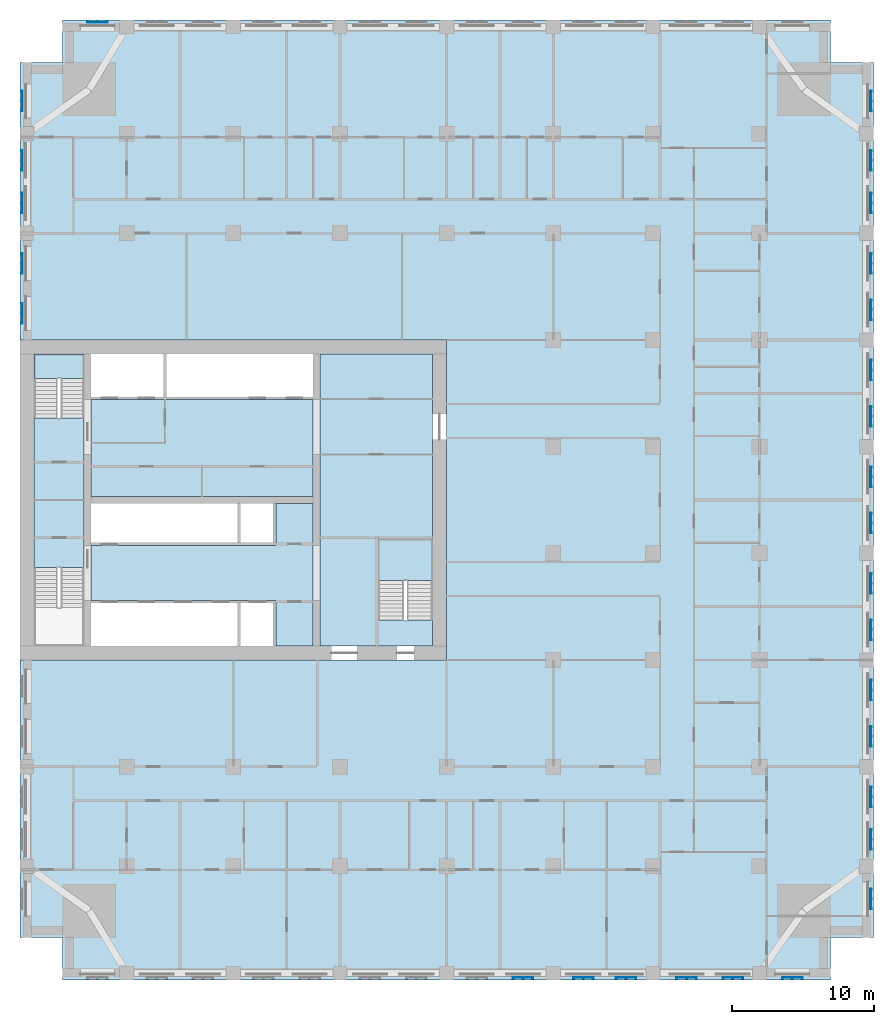
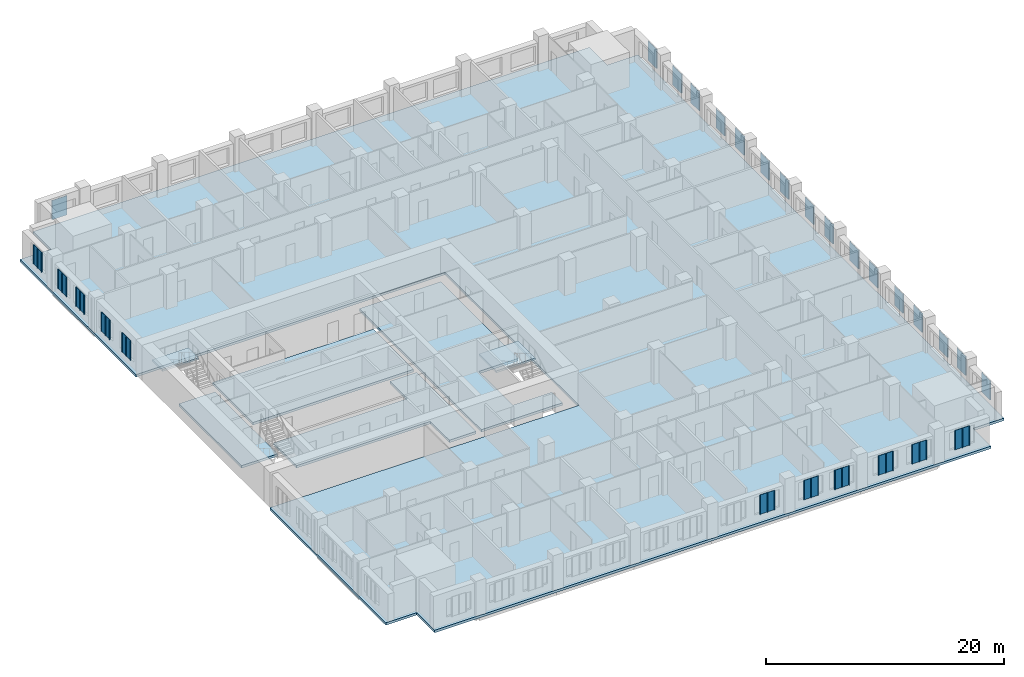
# One storey, part 2 of 14: 28 plates, 7 slabs, 2 elements without a shape of their own.
"""IFC4 building model written with IfcOpenShell, lengths in metres."""

from ifc_helpers import new_model, si_unit, direction, frame, origin, place, context, subcontext, project, spatial, polyline, outline, extrude, material, layer, layer_set, type_object, element, aggregate, save


model = new_model("IFC4")

# Units and contexts
model_context = context("Model", 3, precision=1e-05, world=origin(), true_north=direction((0.0, 1.0)))
body_context = subcontext(model_context, "Body", "Model", "MODEL_VIEW")
ifc_project = project(units=[si_unit("LENGTHUNIT", "METRE"), si_unit("AREAUNIT", "SQUARE_METRE"), si_unit("VOLUMEUNIT", "CUBIC_METRE"), si_unit("PLANEANGLEUNIT", "RADIAN"), si_unit("MASSUNIT", "GRAM", prefix="KILO")], contexts=[model_context])

# Site, building, storey
site_placement = place(None, origin())
site = spatial("IfcSite", under=ifc_project, at=site_placement, CompositionType="ELEMENT")
building_placement = place(site_placement, origin())
building = spatial("IfcBuilding", under=site, at=building_placement, Name="Tamorin Gate", CompositionType="ELEMENT")
storey_placement = place(building_placement, frame((0.0, 0.0, 93.5)))
storey = spatial("IfcBuildingStorey", under=building, at=storey_placement, Name="L22", CompositionType="ELEMENT", Elevation=93.5)

# Slabs
ifc_material_1 = material(Name="Concrete C40/50", Category="concrete")
ifc_layer_1 = layer(ifc_material_1, 0.25)
ifc_layer_set_1 = layer_set([ifc_layer_1], Name="Core floor slab 250 C40/50")
slab_type_1 = type_object("IfcSlabType", Name="Core floor slab 250 C40/50", PredefinedType="FLOOR", material=ifc_layer_set_1)
slab_1_placement = place(storey_placement, frame((0.0, 0.0, -0.25)))
element("IfcSlab", 1, at=slab_1_placement, inside=storey, type_object=slab_type_1, Name="Core floor L22", PredefinedType="FLOOR", context=body_context, shape_type="SweptSolid", body=[
    extrude(outline(polyline([(59.0, 62.800048828125), (59.0, 61.0), (51.10009765625, 61.0), (51.10009765625, 81.5), (59.0, 81.5), (59.0, 68.5), (55.199951171875, 68.5), (55.199951171875, 62.800048828125), (59.0, 62.800048828125)])), origin(), (0.0, 0.0, 1.0), 0.25),
])
slab_2_placement = place(storey_placement, frame((0.0, 0.0, -0.25)))
element("IfcSlab", 2, at=slab_2_placement, inside=storey, type_object=slab_type_1, Name="Core floor L22", PredefinedType="FLOOR", context=body_context, shape_type="SweptSolid", body=[
    extrude(outline(polyline([(50.60009765625, 61.0), (48.0, 61.0), (48.0, 64.199951171875), (35.0, 64.199951171875), (35.0, 68.050048828125), (48.0, 68.050048828125), (48.0, 71.0), (50.60009765625, 71.0), (50.60009765625, 61.0)])), origin(), (0.0, 0.0, 1.0), 0.25),
])
slab_3_placement = place(storey_placement, frame((0.0, 0.0, -0.25)))
element("IfcSlab", 3, at=slab_3_placement, inside=storey, type_object=slab_type_1, Name="Core floor L22", PredefinedType="FLOOR", context=body_context, shape_type="SweptSolid", body=[
    extrude(outline(polyline([(50.60009765625, 71.5), (35.0, 71.5), (35.0, 78.300048828125), (50.60009765625, 78.300048828125), (50.60009765625, 71.5)])), origin(), (0.0, 0.0, 1.0), 0.25),
])
slab_4_placement = place(storey_placement, frame((0.0, 0.0, -0.25)))
element("IfcSlab", 4, at=slab_4_placement, inside=storey, type_object=slab_type_1, Name="Core floor L22", PredefinedType="FLOOR", context=body_context, shape_type="SweptSolid", body=[
    extrude(outline(polyline([(31.0, 66.5), (31.0, 77.0), (34.5, 77.0), (34.5, 66.5), (31.0, 66.5)])), origin(), (0.0, 0.0, 1.0), 0.25),
])

# Stair, slab
stair_type = type_object("IfcStairType", Name="Exit stair", PredefinedType="HALF_TURN_STAIR", material=ifc_material_1)
stair_1_placement = place(storey_placement, origin())
stair_1 = element("IfcStair", 5, at=stair_1_placement, inside=storey, type_object=stair_type, Name="L22 stair ST2", PredefinedType="HALF_TURN_STAIR")
ifc_layer_2 = layer(ifc_material_1, 0.199951171875)
ifc_layer_set_2 = layer_set([ifc_layer_2], Name="Exit stair landing 200")
slab_type_2 = type_object("IfcSlabType", Name="Exit stair landing 200", PredefinedType="LANDING", material=ifc_layer_set_2)
slab_5_placement = place(storey_placement, frame((0.0, 0.0, 1.60009765625)))
slab_5 = element("IfcSlab", 6, at=slab_5_placement, type_object=slab_type_2, Name="ST2 landing 1", PredefinedType="LANDING", context=body_context, shape_type="SweptSolid", body=[
    extrude(outline(polyline([(34.5, 79.800048828125), (34.5, 81.5), (31.0, 81.5), (31.0, 79.800048828125), (34.5, 79.800048828125)])), origin(), (0.0, 0.0, 1.0), 0.199951171875),
])
aggregate(stair_1, [slab_5])

stair_2_placement = place(storey_placement, origin())
stair_2 = element("IfcStair", 7, at=stair_2_placement, inside=storey, type_object=stair_type, Name="L22 stair ST3", PredefinedType="HALF_TURN_STAIR")
slab_6_placement = place(storey_placement, frame((0.0, 0.0, 1.60009765625)))
slab_6 = element("IfcSlab", 8, at=slab_6_placement, type_object=slab_type_2, Name="ST3 landing 1", PredefinedType="LANDING", context=body_context, shape_type="SweptSolid", body=[
    extrude(outline(polyline([(59.0, 65.60009765625), (59.0, 68.5), (55.199951171875, 68.5), (55.199951171875, 65.60009765625), (59.0, 65.60009765625)])), origin(), (0.0, 0.0, 1.0), 0.199951171875),
])
aggregate(stair_2, [slab_6])

# Slab
ifc_layer_3 = layer(ifc_material_1, 0.25)
ifc_layer_set_3 = layer_set([ifc_layer_3], Name="Floor slab 250 C40/50")
slab_type_3 = type_object("IfcSlabType", Name="Floor slab 250 C40/50", PredefinedType="FLOOR", material=ifc_layer_set_3)
slab_7_placement = place(storey_placement, frame((0.0, 0.0, -0.25)))
element("IfcSlab", 9, at=slab_7_placement, inside=storey, type_object=slab_type_3, Name="Floor L22", PredefinedType="FLOOR", context=body_context, shape_type="SweptSolid", body=[
    extrude(outline(polyline([(30.0, 102.0), (33.0, 102.0), (33.0, 105.0), (87.0, 105.0), (87.0, 102.0), (90.0, 102.0), (90.0, 40.5), (87.0, 40.5), (87.0, 37.5), (33.0, 37.5), (33.0, 40.5), (30.0, 40.5), (30.0, 60.0), (60.0, 60.0), (60.0, 82.5), (30.0, 82.5), (30.0, 102.0)])), origin(), (0.0, 0.0, 1.0), 0.25),
])

# Plates
ifc_material_2 = material(Name="Perforated pale aluminium sheet", Category="aluminium")
ifc_layer_4 = layer(ifc_material_2, 0.0400390625)
ifc_layer_set_4 = layer_set([ifc_layer_4], Name="Pale metal solar screen 1440")
plate_type = type_object("IfcPlateType", Name="Pale metal solar screen 1440", PredefinedType="SHEET", material=ifc_layer_set_4)
plate_1_placement = place(storey_placement, frame((0.0, 0.0, 0.7099609375)))
element("IfcPlate", 10, at=plate_1_placement, inside=storey, type_object=plate_type, Name="Perforated solar screen", PredefinedType="SHEET", context=body_context, shape_type="SweptSolid", body=[
    extrude(outline(polyline([(64.655029296875, 37.659912109375), (64.655029296875, 37.699951171875), (64.715087890625, 37.699951171875), (65.344970703125, 37.699951171875), (65.405029296875, 37.699951171875), (66.034912109375, 37.699951171875), (66.094970703125, 37.699951171875), (66.094970703125, 37.659912109375), (66.094970703125, 37.60009765625), (66.034912109375, 37.60009765625), (66.034912109375, 37.659912109375), (65.405029296875, 37.659912109375), (65.405029296875, 37.60009765625), (65.344970703125, 37.60009765625), (65.344970703125, 37.659912109375), (64.715087890625, 37.659912109375), (64.715087890625, 37.60009765625), (64.655029296875, 37.60009765625), (64.655029296875, 37.659912109375)])), origin(), (0.0, 0.0, 1.0), 1.97998046875),
])
plate_2_placement = place(storey_placement, frame((0.0, 0.0, 0.7099609375)))
element("IfcPlate", 11, at=plate_2_placement, inside=storey, type_object=plate_type, Name="Perforated solar screen", PredefinedType="SHEET", context=body_context, shape_type="SweptSolid", body=[
    extrude(outline(polyline([(68.905029296875, 37.659912109375), (68.905029296875, 37.699951171875), (68.965087890625, 37.699951171875), (69.594970703125, 37.699951171875), (69.655029296875, 37.699951171875), (70.284912109375, 37.699951171875), (70.344970703125, 37.699951171875), (70.344970703125, 37.659912109375), (70.344970703125, 37.60009765625), (70.284912109375, 37.60009765625), (70.284912109375, 37.659912109375), (69.655029296875, 37.659912109375), (69.655029296875, 37.60009765625), (69.594970703125, 37.60009765625), (69.594970703125, 37.659912109375), (68.965087890625, 37.659912109375), (68.965087890625, 37.60009765625), (68.905029296875, 37.60009765625), (68.905029296875, 37.659912109375)])), origin(), (0.0, 0.0, 1.0), 1.97998046875),
])
plate_3_placement = place(storey_placement, frame((0.0, 0.0, 0.7099609375)))
element("IfcPlate", 12, at=plate_3_placement, inside=storey, type_object=plate_type, Name="Perforated solar screen", PredefinedType="SHEET", context=body_context, shape_type="SweptSolid", body=[
    extrude(outline(polyline([(71.905029296875, 37.659912109375), (71.905029296875, 37.699951171875), (71.965087890625, 37.699951171875), (72.594970703125, 37.699951171875), (72.655029296875, 37.699951171875), (73.284912109375, 37.699951171875), (73.344970703125, 37.699951171875), (73.344970703125, 37.659912109375), (73.344970703125, 37.60009765625), (73.284912109375, 37.60009765625), (73.284912109375, 37.659912109375), (72.655029296875, 37.659912109375), (72.655029296875, 37.60009765625), (72.594970703125, 37.60009765625), (72.594970703125, 37.659912109375), (71.965087890625, 37.659912109375), (71.965087890625, 37.60009765625), (71.905029296875, 37.60009765625), (71.905029296875, 37.659912109375)])), origin(), (0.0, 0.0, 1.0), 1.97998046875),
])
plate_4_placement = place(storey_placement, frame((0.0, 0.0, 0.7099609375)))
element("IfcPlate", 13, at=plate_4_placement, inside=storey, type_object=plate_type, Name="Perforated solar screen", PredefinedType="SHEET", context=body_context, shape_type="SweptSolid", body=[
    extrude(outline(polyline([(76.155029296875, 37.659912109375), (76.155029296875, 37.699951171875), (76.215087890625, 37.699951171875), (76.844970703125, 37.699951171875), (76.905029296875, 37.699951171875), (77.534912109375, 37.699951171875), (77.594970703125, 37.699951171875), (77.594970703125, 37.659912109375), (77.594970703125, 37.60009765625), (77.534912109375, 37.60009765625), (77.534912109375, 37.659912109375), (76.905029296875, 37.659912109375), (76.905029296875, 37.60009765625), (76.844970703125, 37.60009765625), (76.844970703125, 37.659912109375), (76.215087890625, 37.659912109375), (76.215087890625, 37.60009765625), (76.155029296875, 37.60009765625), (76.155029296875, 37.659912109375)])), origin(), (0.0, 0.0, 1.0), 1.97998046875),
])
plate_5_placement = place(storey_placement, frame((0.0, 0.0, 0.7099609375)))
element("IfcPlate", 14, at=plate_5_placement, inside=storey, type_object=plate_type, Name="Perforated solar screen", PredefinedType="SHEET", context=body_context, shape_type="SweptSolid", body=[
    extrude(outline(polyline([(79.405029296875, 37.659912109375), (79.405029296875, 37.699951171875), (79.465087890625, 37.699951171875), (80.094970703125, 37.699951171875), (80.155029296875, 37.699951171875), (80.784912109375, 37.699951171875), (80.844970703125, 37.699951171875), (80.844970703125, 37.659912109375), (80.844970703125, 37.60009765625), (80.784912109375, 37.60009765625), (80.784912109375, 37.659912109375), (80.155029296875, 37.659912109375), (80.155029296875, 37.60009765625), (80.094970703125, 37.60009765625), (80.094970703125, 37.659912109375), (79.465087890625, 37.659912109375), (79.465087890625, 37.60009765625), (79.405029296875, 37.60009765625), (79.405029296875, 37.659912109375)])), origin(), (0.0, 0.0, 1.0), 1.97998046875),
])
plate_6_placement = place(storey_placement, frame((0.0, 0.0, 0.7099609375)))
element("IfcPlate", 15, at=plate_6_placement, inside=storey, type_object=plate_type, Name="Perforated solar screen", PredefinedType="SHEET", context=body_context, shape_type="SweptSolid", body=[
    extrude(outline(polyline([(83.580078125, 37.659912109375), (83.580078125, 37.699951171875), (83.639892578125, 37.699951171875), (84.27001953125, 37.699951171875), (84.330078125, 37.699951171875), (84.9599609375, 37.699951171875), (85.02001953125, 37.699951171875), (85.02001953125, 37.659912109375), (85.02001953125, 37.60009765625), (84.9599609375, 37.60009765625), (84.9599609375, 37.659912109375), (84.330078125, 37.659912109375), (84.330078125, 37.60009765625), (84.27001953125, 37.60009765625), (84.27001953125, 37.659912109375), (83.639892578125, 37.659912109375), (83.639892578125, 37.60009765625), (83.580078125, 37.60009765625), (83.580078125, 37.659912109375)])), origin(), (0.0, 0.0, 1.0), 1.97998046875),
])
plate_7_placement = place(storey_placement, frame((0.0, 0.0, 0.7099609375)))
element("IfcPlate", 16, at=plate_7_placement, inside=storey, type_object=plate_type, Name="Perforated solar screen", PredefinedType="SHEET", context=body_context, shape_type="SweptSolid", body=[
    extrude(outline(polyline([(89.840087890625, 42.47998046875), (89.800048828125, 42.47998046875), (89.800048828125, 42.5400390625), (89.800048828125, 43.169921875), (89.800048828125, 43.22998046875), (89.800048828125, 43.860107421875), (89.800048828125, 43.919921875), (89.840087890625, 43.919921875), (89.89990234375, 43.919921875), (89.89990234375, 43.860107421875), (89.840087890625, 43.860107421875), (89.840087890625, 43.22998046875), (89.89990234375, 43.22998046875), (89.89990234375, 43.169921875), (89.840087890625, 43.169921875), (89.840087890625, 42.5400390625), (89.89990234375, 42.5400390625), (89.89990234375, 42.47998046875), (89.840087890625, 42.47998046875)])), origin(), (0.0, 0.0, 1.0), 1.97998046875),
])
plate_8_placement = place(storey_placement, frame((0.0, 0.0, 0.7099609375)))
element("IfcPlate", 17, at=plate_8_placement, inside=storey, type_object=plate_type, Name="Perforated solar screen", PredefinedType="SHEET", context=body_context, shape_type="SweptSolid", body=[
    extrude(outline(polyline([(89.840087890625, 46.655029296875), (89.800048828125, 46.655029296875), (89.800048828125, 46.715087890625), (89.800048828125, 47.344970703125), (89.800048828125, 47.405029296875), (89.800048828125, 48.034912109375), (89.800048828125, 48.094970703125), (89.800048828125, 48.094970703125), (89.840087890625, 48.094970703125), (89.840087890625, 48.094970703125), (89.89990234375, 48.094970703125), (89.89990234375, 48.034912109375), (89.840087890625, 48.034912109375), (89.840087890625, 47.405029296875), (89.89990234375, 47.405029296875), (89.89990234375, 47.344970703125), (89.840087890625, 47.344970703125), (89.840087890625, 46.715087890625), (89.89990234375, 46.715087890625), (89.89990234375, 46.655029296875), (89.840087890625, 46.655029296875)])), origin(), (0.0, 0.0, 1.0), 1.97998046875),
])
plate_9_placement = place(storey_placement, frame((0.0, 0.0, 0.7099609375)))
element("IfcPlate", 18, at=plate_9_placement, inside=storey, type_object=plate_type, Name="Perforated solar screen", PredefinedType="SHEET", context=body_context, shape_type="SweptSolid", body=[
    extrude(outline(polyline([(89.840087890625, 49.655029296875), (89.800048828125, 49.655029296875), (89.800048828125, 49.715087890625), (89.800048828125, 50.344970703125), (89.800048828125, 50.405029296875), (89.800048828125, 51.034912109375), (89.800048828125, 51.094970703125), (89.840087890625, 51.094970703125), (89.89990234375, 51.094970703125), (89.89990234375, 51.034912109375), (89.840087890625, 51.034912109375), (89.840087890625, 50.405029296875), (89.89990234375, 50.405029296875), (89.89990234375, 50.344970703125), (89.840087890625, 50.344970703125), (89.840087890625, 49.715087890625), (89.89990234375, 49.715087890625), (89.89990234375, 49.655029296875), (89.840087890625, 49.655029296875)])), origin(), (0.0, 0.0, 1.0), 1.97998046875),
])
plate_10_placement = place(storey_placement, frame((0.0, 0.0, 0.7099609375)))
element("IfcPlate", 19, at=plate_10_placement, inside=storey, type_object=plate_type, Name="Perforated solar screen", PredefinedType="SHEET", context=body_context, shape_type="SweptSolid", body=[
    extrude(outline(polyline([(89.840087890625, 53.905029296875), (89.800048828125, 53.905029296875), (89.800048828125, 53.965087890625), (89.800048828125, 54.594970703125), (89.800048828125, 54.655029296875), (89.800048828125, 55.284912109375), (89.800048828125, 55.344970703125), (89.840087890625, 55.344970703125), (89.89990234375, 55.344970703125), (89.89990234375, 55.284912109375), (89.840087890625, 55.284912109375), (89.840087890625, 54.655029296875), (89.89990234375, 54.655029296875), (89.89990234375, 54.594970703125), (89.840087890625, 54.594970703125), (89.840087890625, 53.965087890625), (89.89990234375, 53.965087890625), (89.89990234375, 53.905029296875), (89.840087890625, 53.905029296875)])), origin(), (0.0, 0.0, 1.0), 1.97998046875),
])
plate_11_placement = place(storey_placement, frame((0.0, 0.0, 0.7099609375)))
element("IfcPlate", 20, at=plate_11_placement, inside=storey, type_object=plate_type, Name="Perforated solar screen", PredefinedType="SHEET", context=body_context, shape_type="SweptSolid", body=[
    extrude(outline(polyline([(89.840087890625, 57.155029296875), (89.800048828125, 57.155029296875), (89.800048828125, 57.215087890625), (89.800048828125, 57.844970703125), (89.800048828125, 57.905029296875), (89.800048828125, 58.534912109375), (89.800048828125, 58.594970703125), (89.840087890625, 58.594970703125), (89.89990234375, 58.594970703125), (89.89990234375, 58.534912109375), (89.840087890625, 58.534912109375), (89.840087890625, 57.905029296875), (89.89990234375, 57.905029296875), (89.89990234375, 57.844970703125), (89.840087890625, 57.844970703125), (89.840087890625, 57.215087890625), (89.89990234375, 57.215087890625), (89.89990234375, 57.155029296875), (89.840087890625, 57.155029296875)])), origin(), (0.0, 0.0, 1.0), 1.97998046875),
])
plate_12_placement = place(storey_placement, frame((0.0, 0.0, 0.7099609375)))
element("IfcPlate", 21, at=plate_12_placement, inside=storey, type_object=plate_type, Name="Perforated solar screen", PredefinedType="SHEET", context=body_context, shape_type="SweptSolid", body=[
    extrude(outline(polyline([(89.840087890625, 61.405029296875), (89.800048828125, 61.405029296875), (89.800048828125, 61.465087890625), (89.800048828125, 62.094970703125), (89.800048828125, 62.155029296875), (89.800048828125, 62.784912109375), (89.800048828125, 62.844970703125), (89.840087890625, 62.844970703125), (89.89990234375, 62.844970703125), (89.89990234375, 62.784912109375), (89.840087890625, 62.784912109375), (89.840087890625, 62.155029296875), (89.89990234375, 62.155029296875), (89.89990234375, 62.094970703125), (89.840087890625, 62.094970703125), (89.840087890625, 61.465087890625), (89.89990234375, 61.465087890625), (89.89990234375, 61.405029296875), (89.840087890625, 61.405029296875)])), origin(), (0.0, 0.0, 1.0), 1.97998046875),
])
plate_13_placement = place(storey_placement, frame((0.0, 0.0, 0.7099609375)))
element("IfcPlate", 22, at=plate_13_placement, inside=storey, type_object=plate_type, Name="Perforated solar screen", PredefinedType="SHEET", context=body_context, shape_type="SweptSolid", body=[
    extrude(outline(polyline([(89.840087890625, 64.655029296875), (89.800048828125, 64.655029296875), (89.800048828125, 64.715087890625), (89.800048828125, 65.344970703125), (89.800048828125, 65.405029296875), (89.800048828125, 66.034912109375), (89.800048828125, 66.094970703125), (89.840087890625, 66.094970703125), (89.89990234375, 66.094970703125), (89.89990234375, 66.034912109375), (89.840087890625, 66.034912109375), (89.840087890625, 65.405029296875), (89.89990234375, 65.405029296875), (89.89990234375, 65.344970703125), (89.840087890625, 65.344970703125), (89.840087890625, 64.715087890625), (89.89990234375, 64.715087890625), (89.89990234375, 64.655029296875), (89.840087890625, 64.655029296875)])), origin(), (0.0, 0.0, 1.0), 1.97998046875),
])
plate_14_placement = place(storey_placement, frame((0.0, 0.0, 0.7099609375)))
element("IfcPlate", 23, at=plate_14_placement, inside=storey, type_object=plate_type, Name="Perforated solar screen", PredefinedType="SHEET", context=body_context, shape_type="SweptSolid", body=[
    extrude(outline(polyline([(89.840087890625, 68.905029296875), (89.800048828125, 68.905029296875), (89.800048828125, 68.965087890625), (89.800048828125, 69.594970703125), (89.800048828125, 69.655029296875), (89.800048828125, 70.284912109375), (89.800048828125, 70.344970703125), (89.840087890625, 70.344970703125), (89.89990234375, 70.344970703125), (89.89990234375, 70.284912109375), (89.840087890625, 70.284912109375), (89.840087890625, 69.655029296875), (89.89990234375, 69.655029296875), (89.89990234375, 69.594970703125), (89.840087890625, 69.594970703125), (89.840087890625, 68.965087890625), (89.89990234375, 68.965087890625), (89.89990234375, 68.905029296875), (89.840087890625, 68.905029296875)])), origin(), (0.0, 0.0, 1.0), 1.97998046875),
])
plate_15_placement = place(storey_placement, frame((0.0, 0.0, 0.7099609375)))
element("IfcPlate", 24, at=plate_15_placement, inside=storey, type_object=plate_type, Name="Perforated solar screen", PredefinedType="SHEET", context=body_context, shape_type="SweptSolid", body=[
    extrude(outline(polyline([(89.840087890625, 72.155029296875), (89.800048828125, 72.155029296875), (89.800048828125, 72.215087890625), (89.800048828125, 72.844970703125), (89.800048828125, 72.905029296875), (89.800048828125, 73.534912109375), (89.800048828125, 73.594970703125), (89.840087890625, 73.594970703125), (89.89990234375, 73.594970703125), (89.89990234375, 73.534912109375), (89.840087890625, 73.534912109375), (89.840087890625, 72.905029296875), (89.89990234375, 72.905029296875), (89.89990234375, 72.844970703125), (89.840087890625, 72.844970703125), (89.840087890625, 72.215087890625), (89.89990234375, 72.215087890625), (89.89990234375, 72.155029296875), (89.840087890625, 72.155029296875)])), origin(), (0.0, 0.0, 1.0), 1.97998046875),
])
plate_16_placement = place(storey_placement, frame((0.0, 0.0, 0.7099609375)))
element("IfcPlate", 25, at=plate_16_placement, inside=storey, type_object=plate_type, Name="Perforated solar screen", PredefinedType="SHEET", context=body_context, shape_type="SweptSolid", body=[
    extrude(outline(polyline([(89.840087890625, 76.405029296875), (89.800048828125, 76.405029296875), (89.800048828125, 76.465087890625), (89.800048828125, 77.094970703125), (89.800048828125, 77.155029296875), (89.800048828125, 77.784912109375), (89.800048828125, 77.844970703125), (89.840087890625, 77.844970703125), (89.89990234375, 77.844970703125), (89.89990234375, 77.784912109375), (89.840087890625, 77.784912109375), (89.840087890625, 77.155029296875), (89.89990234375, 77.155029296875), (89.89990234375, 77.094970703125), (89.840087890625, 77.094970703125), (89.840087890625, 76.465087890625), (89.89990234375, 76.465087890625), (89.89990234375, 76.405029296875), (89.840087890625, 76.405029296875)])), origin(), (0.0, 0.0, 1.0), 1.97998046875),
])
plate_17_placement = place(storey_placement, frame((0.0, 0.0, 0.7099609375)))
element("IfcPlate", 26, at=plate_17_placement, inside=storey, type_object=plate_type, Name="Perforated solar screen", PredefinedType="SHEET", context=body_context, shape_type="SweptSolid", body=[
    extrude(outline(polyline([(89.840087890625, 79.655029296875), (89.800048828125, 79.655029296875), (89.800048828125, 79.715087890625), (89.800048828125, 80.344970703125), (89.800048828125, 80.405029296875), (89.800048828125, 81.034912109375), (89.800048828125, 81.094970703125), (89.840087890625, 81.094970703125), (89.89990234375, 81.094970703125), (89.89990234375, 81.034912109375), (89.840087890625, 81.034912109375), (89.840087890625, 80.405029296875), (89.89990234375, 80.405029296875), (89.89990234375, 80.344970703125), (89.840087890625, 80.344970703125), (89.840087890625, 79.715087890625), (89.89990234375, 79.715087890625), (89.89990234375, 79.655029296875), (89.840087890625, 79.655029296875)])), origin(), (0.0, 0.0, 1.0), 1.97998046875),
])
plate_18_placement = place(storey_placement, frame((0.0, 0.0, 0.7099609375)))
element("IfcPlate", 27, at=plate_18_placement, inside=storey, type_object=plate_type, Name="Perforated solar screen", PredefinedType="SHEET", context=body_context, shape_type="SweptSolid", body=[
    extrude(outline(polyline([(89.840087890625, 83.905029296875), (89.800048828125, 83.905029296875), (89.800048828125, 83.965087890625), (89.800048828125, 84.594970703125), (89.800048828125, 84.655029296875), (89.800048828125, 85.284912109375), (89.800048828125, 85.344970703125), (89.840087890625, 85.344970703125), (89.89990234375, 85.344970703125), (89.89990234375, 85.284912109375), (89.840087890625, 85.284912109375), (89.840087890625, 84.655029296875), (89.89990234375, 84.655029296875), (89.89990234375, 84.594970703125), (89.840087890625, 84.594970703125), (89.840087890625, 83.965087890625), (89.89990234375, 83.965087890625), (89.89990234375, 83.905029296875), (89.840087890625, 83.905029296875)])), origin(), (0.0, 0.0, 1.0), 1.97998046875),
])
plate_19_placement = place(storey_placement, frame((0.0, 0.0, 0.7099609375)))
element("IfcPlate", 28, at=plate_19_placement, inside=storey, type_object=plate_type, Name="Perforated solar screen", PredefinedType="SHEET", context=body_context, shape_type="SweptSolid", body=[
    extrude(outline(polyline([(89.840087890625, 87.155029296875), (89.800048828125, 87.155029296875), (89.800048828125, 87.215087890625), (89.800048828125, 87.844970703125), (89.800048828125, 87.905029296875), (89.800048828125, 88.534912109375), (89.800048828125, 88.594970703125), (89.840087890625, 88.594970703125), (89.89990234375, 88.594970703125), (89.89990234375, 88.534912109375), (89.840087890625, 88.534912109375), (89.840087890625, 87.905029296875), (89.89990234375, 87.905029296875), (89.89990234375, 87.844970703125), (89.840087890625, 87.844970703125), (89.840087890625, 87.215087890625), (89.89990234375, 87.215087890625), (89.89990234375, 87.155029296875), (89.840087890625, 87.155029296875)])), origin(), (0.0, 0.0, 1.0), 1.97998046875),
])
plate_20_placement = place(storey_placement, frame((0.0, 0.0, 0.7099609375)))
element("IfcPlate", 29, at=plate_20_placement, inside=storey, type_object=plate_type, Name="Perforated solar screen", PredefinedType="SHEET", context=body_context, shape_type="SweptSolid", body=[
    extrude(outline(polyline([(89.840087890625, 91.405029296875), (89.800048828125, 91.405029296875), (89.800048828125, 91.465087890625), (89.800048828125, 92.094970703125), (89.800048828125, 92.155029296875), (89.800048828125, 92.784912109375), (89.800048828125, 92.844970703125), (89.840087890625, 92.844970703125), (89.89990234375, 92.844970703125), (89.89990234375, 92.784912109375), (89.840087890625, 92.784912109375), (89.840087890625, 92.155029296875), (89.89990234375, 92.155029296875), (89.89990234375, 92.094970703125), (89.840087890625, 92.094970703125), (89.840087890625, 91.465087890625), (89.89990234375, 91.465087890625), (89.89990234375, 91.405029296875), (89.840087890625, 91.405029296875)])), origin(), (0.0, 0.0, 1.0), 1.97998046875),
])
plate_21_placement = place(storey_placement, frame((0.0, 0.0, 0.7099609375)))
element("IfcPlate", 30, at=plate_21_placement, inside=storey, type_object=plate_type, Name="Perforated solar screen", PredefinedType="SHEET", context=body_context, shape_type="SweptSolid", body=[
    extrude(outline(polyline([(89.840087890625, 94.405029296875), (89.800048828125, 94.405029296875), (89.800048828125, 94.465087890625), (89.800048828125, 95.094970703125), (89.800048828125, 95.155029296875), (89.800048828125, 95.784912109375), (89.800048828125, 95.844970703125), (89.840087890625, 95.844970703125), (89.89990234375, 95.844970703125), (89.89990234375, 95.784912109375), (89.840087890625, 95.784912109375), (89.840087890625, 95.155029296875), (89.89990234375, 95.155029296875), (89.89990234375, 95.094970703125), (89.840087890625, 95.094970703125), (89.840087890625, 94.465087890625), (89.89990234375, 94.465087890625), (89.89990234375, 94.405029296875), (89.840087890625, 94.405029296875)])), origin(), (0.0, 0.0, 1.0), 1.97998046875),
])
plate_22_placement = place(storey_placement, frame((0.0, 0.0, 0.7099609375)))
element("IfcPlate", 31, at=plate_22_placement, inside=storey, type_object=plate_type, Name="Perforated solar screen", PredefinedType="SHEET", context=body_context, shape_type="SweptSolid", body=[
    extrude(outline(polyline([(89.840087890625, 98.580078125), (89.800048828125, 98.580078125), (89.800048828125, 98.639892578125), (89.800048828125, 99.27001953125), (89.800048828125, 99.330078125), (89.800048828125, 99.9599609375), (89.800048828125, 100.02001953125), (89.840087890625, 100.02001953125), (89.89990234375, 100.02001953125), (89.89990234375, 99.9599609375), (89.840087890625, 99.9599609375), (89.840087890625, 99.330078125), (89.89990234375, 99.330078125), (89.89990234375, 99.27001953125), (89.840087890625, 99.27001953125), (89.840087890625, 98.639892578125), (89.89990234375, 98.639892578125), (89.89990234375, 98.580078125), (89.840087890625, 98.580078125)])), origin(), (0.0, 0.0, 1.0), 1.97998046875),
])
plate_23_placement = place(storey_placement, frame((0.0, 0.0, 0.7099609375)))
element("IfcPlate", 32, at=plate_23_placement, inside=storey, type_object=plate_type, Name="Perforated solar screen", PredefinedType="SHEET", context=body_context, shape_type="SweptSolid", body=[
    extrude(outline(polyline([(36.169921875, 104.840087890625), (36.169921875, 104.800048828125), (36.110107421875, 104.800048828125), (35.47998046875, 104.800048828125), (35.419921875, 104.800048828125), (34.7900390625, 104.800048828125), (34.72998046875, 104.800048828125), (34.72998046875, 104.840087890625), (34.72998046875, 104.89990234375), (34.7900390625, 104.89990234375), (34.7900390625, 104.840087890625), (35.419921875, 104.840087890625), (35.419921875, 104.89990234375), (35.47998046875, 104.89990234375), (35.47998046875, 104.840087890625), (36.110107421875, 104.840087890625), (36.110107421875, 104.89990234375), (36.169921875, 104.89990234375), (36.169921875, 104.840087890625)])), origin(), (0.0, 0.0, 1.0), 1.97998046875),
])
plate_24_placement = place(storey_placement, frame((0.0, 0.0, 0.7099609375)))
element("IfcPlate", 33, at=plate_24_placement, inside=storey, type_object=plate_type, Name="Perforated solar screen", PredefinedType="SHEET", context=body_context, shape_type="SweptSolid", body=[
    extrude(outline(polyline([(30.159912109375, 100.02001953125), (30.199951171875, 100.02001953125), (30.199951171875, 99.9599609375), (30.199951171875, 99.330078125), (30.199951171875, 99.27001953125), (30.199951171875, 98.639892578125), (30.199951171875, 98.580078125), (30.159912109375, 98.580078125), (30.10009765625, 98.580078125), (30.10009765625, 98.639892578125), (30.159912109375, 98.639892578125), (30.159912109375, 99.27001953125), (30.10009765625, 99.27001953125), (30.10009765625, 99.330078125), (30.159912109375, 99.330078125), (30.159912109375, 99.9599609375), (30.10009765625, 99.9599609375), (30.10009765625, 100.02001953125), (30.159912109375, 100.02001953125)])), origin(), (0.0, 0.0, 1.0), 1.97998046875),
])
plate_25_placement = place(storey_placement, frame((0.0, 0.0, 0.7099609375)))
element("IfcPlate", 34, at=plate_25_placement, inside=storey, type_object=plate_type, Name="Perforated solar screen", PredefinedType="SHEET", context=body_context, shape_type="SweptSolid", body=[
    extrude(outline(polyline([(30.159912109375, 92.844970703125), (30.199951171875, 92.844970703125), (30.199951171875, 92.784912109375), (30.199951171875, 92.155029296875), (30.199951171875, 92.094970703125), (30.199951171875, 91.465087890625), (30.199951171875, 91.405029296875), (30.159912109375, 91.405029296875), (30.10009765625, 91.405029296875), (30.10009765625, 91.465087890625), (30.159912109375, 91.465087890625), (30.159912109375, 92.094970703125), (30.10009765625, 92.094970703125), (30.10009765625, 92.155029296875), (30.159912109375, 92.155029296875), (30.159912109375, 92.784912109375), (30.10009765625, 92.784912109375), (30.10009765625, 92.844970703125), (30.159912109375, 92.844970703125)])), origin(), (0.0, 0.0, 1.0), 1.97998046875),
])
plate_26_placement = place(storey_placement, frame((0.0, 0.0, 0.7099609375)))
element("IfcPlate", 35, at=plate_26_placement, inside=storey, type_object=plate_type, Name="Perforated solar screen", PredefinedType="SHEET", context=body_context, shape_type="SweptSolid", body=[
    extrude(outline(polyline([(30.159912109375, 95.844970703125), (30.199951171875, 95.844970703125), (30.199951171875, 95.784912109375), (30.199951171875, 95.155029296875), (30.199951171875, 95.094970703125), (30.199951171875, 94.465087890625), (30.199951171875, 94.405029296875), (30.199951171875, 94.405029296875), (30.159912109375, 94.405029296875), (30.159912109375, 94.405029296875), (30.10009765625, 94.405029296875), (30.10009765625, 94.465087890625), (30.159912109375, 94.465087890625), (30.159912109375, 95.094970703125), (30.10009765625, 95.094970703125), (30.10009765625, 95.155029296875), (30.159912109375, 95.155029296875), (30.159912109375, 95.784912109375), (30.10009765625, 95.784912109375), (30.10009765625, 95.844970703125), (30.159912109375, 95.844970703125)])), origin(), (0.0, 0.0, 1.0), 1.97998046875),
])
plate_27_placement = place(storey_placement, frame((0.0, 0.0, 0.7099609375)))
element("IfcPlate", 36, at=plate_27_placement, inside=storey, type_object=plate_type, Name="Perforated solar screen", PredefinedType="SHEET", context=body_context, shape_type="SweptSolid", body=[
    extrude(outline(polyline([(30.159912109375, 85.094970703125), (30.199951171875, 85.094970703125), (30.199951171875, 85.034912109375), (30.199951171875, 84.405029296875), (30.199951171875, 84.344970703125), (30.199951171875, 83.715087890625), (30.199951171875, 83.655029296875), (30.159912109375, 83.655029296875), (30.10009765625, 83.655029296875), (30.10009765625, 83.715087890625), (30.159912109375, 83.715087890625), (30.159912109375, 84.344970703125), (30.10009765625, 84.344970703125), (30.10009765625, 84.405029296875), (30.159912109375, 84.405029296875), (30.159912109375, 85.034912109375), (30.10009765625, 85.034912109375), (30.10009765625, 85.094970703125), (30.159912109375, 85.094970703125)])), origin(), (0.0, 0.0, 1.0), 1.97998046875),
])
plate_28_placement = place(storey_placement, frame((0.0, 0.0, 0.7099609375)))
element("IfcPlate", 37, at=plate_28_placement, inside=storey, type_object=plate_type, Name="Perforated solar screen", PredefinedType="SHEET", context=body_context, shape_type="SweptSolid", body=[
    extrude(outline(polyline([(30.159912109375, 88.594970703125), (30.199951171875, 88.594970703125), (30.199951171875, 88.534912109375), (30.199951171875, 87.905029296875), (30.199951171875, 87.844970703125), (30.199951171875, 87.215087890625), (30.199951171875, 87.155029296875), (30.159912109375, 87.155029296875), (30.10009765625, 87.155029296875), (30.10009765625, 87.215087890625), (30.159912109375, 87.215087890625), (30.159912109375, 87.844970703125), (30.10009765625, 87.844970703125), (30.10009765625, 87.905029296875), (30.159912109375, 87.905029296875), (30.159912109375, 88.534912109375), (30.10009765625, 88.534912109375), (30.10009765625, 88.594970703125), (30.159912109375, 88.594970703125)])), origin(), (0.0, 0.0, 1.0), 1.97998046875),
])

save(model, "model.ifc")
